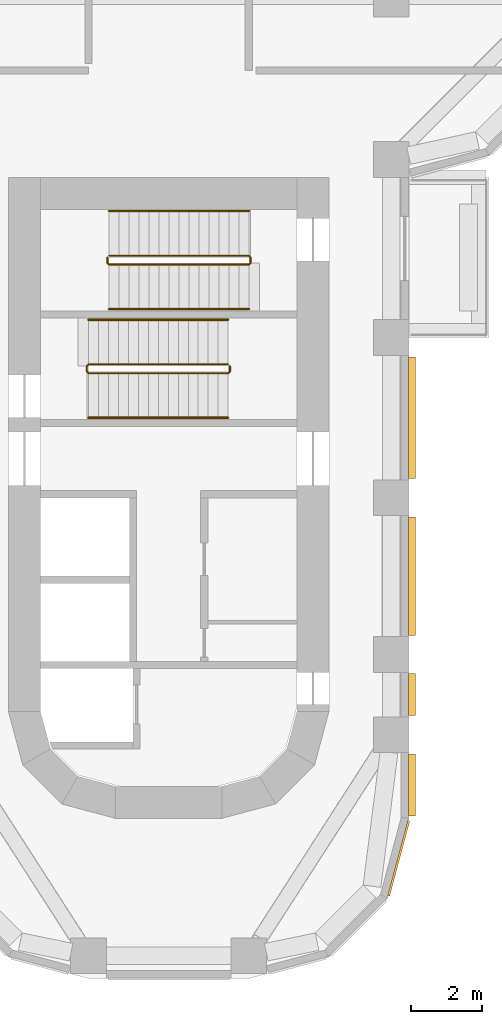
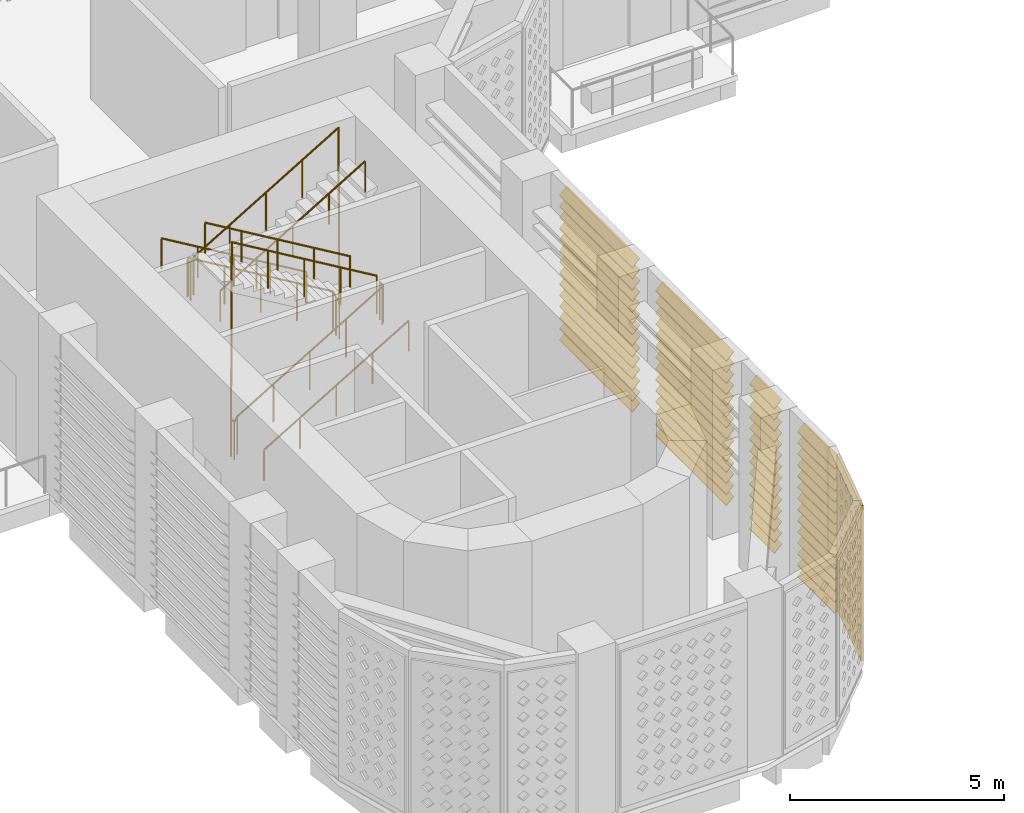
# One storey, part 12 of 20: 6 railings, 4 shading devices, 1 covering.
"""IFC4 building model written with IfcOpenShell, lengths in metres."""

from ifc_helpers import new_model, si_unit, direction, frame, origin, origin_2d, place, context, subcontext, project, spatial, polyline, circle, outline, extrude, source, transform, mapped, material, layer, layer_set, type_object, element, save


model = new_model("IFC4")

# Units and contexts
model_context = context("Model", 3, precision=1e-05, world=origin(), true_north=direction((0.0, 1.0)))
body_context = subcontext(model_context, "Body", "Model", "MODEL_VIEW")
ifc_project = project(units=[si_unit("LENGTHUNIT", "METRE"), si_unit("AREAUNIT", "SQUARE_METRE"), si_unit("VOLUMEUNIT", "CUBIC_METRE"), si_unit("PLANEANGLEUNIT", "RADIAN"), si_unit("MASSUNIT", "GRAM", prefix="KILO")], contexts=[model_context])

# Site, building, storey
site_placement = place(None, origin())
site = spatial("IfcSite", under=ifc_project, at=site_placement, CompositionType="ELEMENT")
building_placement = place(site_placement, origin())
building = spatial("IfcBuilding", under=site, at=building_placement, Name="Zarbagh Exchange Tower", CompositionType="ELEMENT")
storey_placement = place(building_placement, frame((0.0, 0.0, 81.60009765625)))
storey = spatial("IfcBuildingStorey", under=building, at=storey_placement, Name="L18", CompositionType="ELEMENT", Elevation=81.60009765625)

# Railings
ifc_material_1 = material(Name="Stainless steel", Category="steel")
railing_type_1 = type_object("IfcRailingType", Name="Stair guard 1100 mm", PredefinedType="GUARDRAIL", material=ifc_material_1)
railing_1_placement = place(storey_placement, frame((1.669921875, -16.5, 2.66650390625)))
element("IfcRailing", 1, at=railing_1_placement, inside=storey, type_object=railing_type_1, Name="ST3 stair guard 1", PredefinedType="GUARDRAIL", context=body_context, shape_type="SweptSolid", body=[
    extrude(circle(Radius=0.02392578125, at=origin_2d()), frame((0.0, 0.0, 1.076171875), z_axis=(-0.859272722373, 0.0, 0.511517730471), x_axis=(0.0, -1.0, 0.0)), (0.0, 0.0, 1.0), 4.56201171875),
    extrude(circle(Radius=0.02392578125, at=origin_2d()), frame((-3.919921875, 0.0, 3.40966796875), z_axis=(-0.010008762843, -0.010008762843, -0.999899819648), x_axis=(0.707106781187, -0.707106781187, 0.0)), (0.0, 0.0, 1.0), 5.00048828125),
    extrude(circle(Radius=0.02392578125, at=origin_2d()), frame((-3.969970703125, -0.050048828125, -1.59033203125), z_axis=(0.0, -1.0, 0.0), x_axis=(1.0, 0.0, 0.0)), (0.0, 0.0, 1.0), 0.14990234375),
    extrude(circle(Radius=0.02392578125, at=origin_2d()), frame((-3.969970703125, -0.199951171875, -1.59033203125), z_axis=(0.27662974545, -0.27662974545, 0.920299933644), x_axis=(0.707106781187, 0.707106781187, 0.0)), (0.0, 0.0, 1.0), 0.180908203125),
    extrude(circle(Radius=0.02392578125, at=origin_2d()), frame((-3.919921875, -0.25, -1.423828125), z_axis=(0.859272722373, 0.0, 0.511517730471), x_axis=(0.0, 1.0, 0.0)), (0.0, 0.0, 1.0), 4.56201171875),
    extrude(circle(Radius=0.02392578125, at=origin_2d()), frame((0.0, -0.25, 0.90966796875), z_axis=(0.707106781187, 0.707106781187, 0.0), x_axis=(-0.707106781187, 0.707106781187, 0.0)), (0.0, 0.0, 1.0), 0.07080078125),
    extrude(circle(Radius=0.02392578125, at=origin_2d()), frame((0.050048828125, -0.199951171875, 0.90966796875), z_axis=(0.0, 1.0, 0.0), x_axis=(-1.0, 0.0, 0.0)), (0.0, 0.0, 1.0), 0.14990234375),
    extrude(circle(Radius=0.02099609375, at=origin_2d()), origin(), (0.0, 0.0, 1.0), 1.052001953125),
    extrude(circle(Radius=0.02099609375, at=origin_2d()), frame((-0.97998046875, 0.0, 0.58349609375)), (0.0, 0.0, 1.0), 1.052001953125),
    extrude(circle(Radius=0.02099609375, at=origin_2d()), frame((-1.9599609375, 0.0, 1.166748046875)), (0.0, 0.0, 1.0), 1.052001953125),
    extrude(circle(Radius=0.02099609375, at=origin_2d()), frame((-2.93994140625, 0.0, 1.75)), (0.0, 0.0, 1.0), 1.052001953125),
    extrude(circle(Radius=0.02099609375, at=origin_2d()), frame((-3.919921875, 0.0, 2.33349609375)), (0.0, 0.0, 1.0), 1.052001953125),
    extrude(circle(Radius=0.02099609375, at=origin_2d()), frame((-3.929931640625, -0.010009765625, 1.33349609375)), (0.0, 0.0, 1.0), 1.052001953125),
    extrude(circle(Radius=0.02099609375, at=origin_2d()), frame((-3.93994140625, -0.02001953125, 0.33349609375)), (0.0, 0.0, 1.0), 1.052001953125),
    extrude(circle(Radius=0.02099609375, at=origin_2d()), frame((-3.949951171875, -0.030029296875, -0.66650390625)), (0.0, 0.0, 1.0), 1.052001953125),
    extrude(circle(Radius=0.02099609375, at=origin_2d()), frame((-3.9599609375, -0.0400390625, -1.66650390625)), (0.0, 0.0, 1.0), 1.052001953125),
    extrude(circle(Radius=0.02099609375, at=origin_2d()), frame((-3.969970703125, -0.050048828125, -2.66650390625)), (0.0, 0.0, 1.0), 1.052001953125),
    extrude(circle(Radius=0.02099609375, at=origin_2d()), frame((-3.969970703125, -0.199951171875, -2.66650390625)), (0.0, 0.0, 1.0), 1.052001953125),
    extrude(circle(Radius=0.02099609375, at=origin_2d()), frame((-3.919921875, -0.25, -2.5)), (0.0, 0.0, 1.0), 1.052001953125),
    extrude(circle(Radius=0.02099609375, at=origin_2d()), frame((-2.93994140625, -0.25, -1.91650390625)), (0.0, 0.0, 1.0), 1.052001953125),
    extrude(circle(Radius=0.02099609375, at=origin_2d()), frame((-1.9599609375, -0.25, -1.333251953125)), (0.0, 0.0, 1.0), 1.052001953125),
    extrude(circle(Radius=0.02099609375, at=origin_2d()), frame((-0.97998046875, -0.25, -0.75)), (0.0, 0.0, 1.0), 1.052001953125),
    extrude(circle(Radius=0.02099609375, at=origin_2d()), frame((0.0, -0.25, -0.16650390625)), (0.0, 0.0, 1.0), 1.052001953125),
    extrude(circle(Radius=0.02099609375, at=origin_2d()), frame((0.050048828125, -0.199951171875, -0.16650390625)), (0.0, 0.0, 1.0), 1.052001953125),
    extrude(circle(Radius=0.02099609375, at=origin_2d()), frame((0.050048828125, -0.050048828125, -0.16650390625)), (0.0, 0.0, 1.0), 1.052001953125),
])
railing_2_placement = place(storey_placement, frame((-1.719970703125, -13.5, 2.5)))
element("IfcRailing", 2, at=railing_2_placement, inside=storey, type_object=railing_type_1, Name="ST4 stair guard 1", PredefinedType="GUARDRAIL", context=body_context, shape_type="SweptSolid", body=[
    extrude(circle(Radius=0.02392578125, at=origin_2d()), frame((0.0, 0.0, 1.076171875), z_axis=(0.0, -1.0, 0.0), x_axis=(1.0, 0.0, 0.0)), (0.0, 0.0, 1.0), 0.14990234375),
    extrude(circle(Radius=0.02392578125, at=origin_2d()), frame((0.0, -0.14990234375, 1.076171875), z_axis=(0.27662974545, -0.27662974545, 0.920299933644), x_axis=(0.707106781187, 0.707106781187, 0.0)), (0.0, 0.0, 1.0), 0.180908203125),
    extrude(circle(Radius=0.02392578125, at=origin_2d()), frame((0.050048828125, -0.199951171875, 1.24267578125), z_axis=(0.859272722373, 0.0, 0.511517730471), x_axis=(0.0, 1.0, 0.0)), (0.0, 0.0, 1.0), 4.56201171875),
    extrude(circle(Radius=0.02392578125, at=origin_2d()), frame((3.969970703125, -0.199951171875, 3.576171875), z_axis=(0.010008762843, 0.010008762843, -0.999899819648), x_axis=(-0.707106781187, 0.707106781187, 0.0)), (0.0, 0.0, 1.0), 5.00048828125),
    extrude(circle(Radius=0.02392578125, at=origin_2d()), frame((4.02001953125, -0.14990234375, -1.423828125), z_axis=(0.0, 1.0, 0.0), x_axis=(-1.0, 0.0, 0.0)), (0.0, 0.0, 1.0), 0.14990234375),
    extrude(circle(Radius=0.02392578125, at=origin_2d()), frame((4.02001953125, 0.0, -1.423828125), z_axis=(-0.27662974545, 0.27662974545, 0.920299933644), x_axis=(-0.707106781187, -0.707106781187, 0.0)), (0.0, 0.0, 1.0), 0.180908203125),
    extrude(circle(Radius=0.02392578125, at=origin_2d()), frame((3.969970703125, 0.050048828125, -1.25732421875), z_axis=(-0.859272722373, 0.0, 0.511517730471), x_axis=(0.0, -1.0, 0.0)), (0.0, 0.0, 1.0), 4.56201171875),
    extrude(circle(Radius=0.02099609375, at=origin_2d()), origin(), (0.0, 0.0, 1.0), 1.052001953125),
    extrude(circle(Radius=0.02099609375, at=origin_2d()), frame((0.0, -0.14990234375, 0.0)), (0.0, 0.0, 1.0), 1.052001953125),
    extrude(circle(Radius=0.02099609375, at=origin_2d()), frame((0.050048828125, -0.199951171875, 0.16650390625)), (0.0, 0.0, 1.0), 1.052001953125),
    extrude(circle(Radius=0.02099609375, at=origin_2d()), frame((1.030029296875, -0.199951171875, 0.75)), (0.0, 0.0, 1.0), 1.052001953125),
    extrude(circle(Radius=0.02099609375, at=origin_2d()), frame((2.010009765625, -0.199951171875, 1.333251953125)), (0.0, 0.0, 1.0), 1.052001953125),
    extrude(circle(Radius=0.02099609375, at=origin_2d()), frame((2.989990234375, -0.199951171875, 1.91650390625)), (0.0, 0.0, 1.0), 1.052001953125),
    extrude(circle(Radius=0.02099609375, at=origin_2d()), frame((3.969970703125, -0.199951171875, 2.5)), (0.0, 0.0, 1.0), 1.052001953125),
    extrude(circle(Radius=0.02099609375, at=origin_2d()), frame((3.97998046875, -0.18994140625, 1.5)), (0.0, 0.0, 1.0), 1.052001953125),
    extrude(circle(Radius=0.02099609375, at=origin_2d()), frame((3.989990234375, -0.179931640625, 0.5)), (0.0, 0.0, 1.0), 1.052001953125),
    extrude(circle(Radius=0.02099609375, at=origin_2d()), frame((4.0, -0.169921875, -0.5)), (0.0, 0.0, 1.0), 1.052001953125),
    extrude(circle(Radius=0.02099609375, at=origin_2d()), frame((4.010009765625, -0.159912109375, -1.5)), (0.0, 0.0, 1.0), 1.052001953125),
    extrude(circle(Radius=0.02099609375, at=origin_2d()), frame((4.02001953125, -0.14990234375, -2.5)), (0.0, 0.0, 1.0), 1.052001953125),
    extrude(circle(Radius=0.02099609375, at=origin_2d()), frame((4.02001953125, 0.0, -2.5)), (0.0, 0.0, 1.0), 1.052001953125),
    extrude(circle(Radius=0.02099609375, at=origin_2d()), frame((3.969970703125, 0.050048828125, -2.33349609375)), (0.0, 0.0, 1.0), 1.052001953125),
    extrude(circle(Radius=0.02099609375, at=origin_2d()), frame((2.989990234375, 0.050048828125, -1.75)), (0.0, 0.0, 1.0), 1.052001953125),
    extrude(circle(Radius=0.02099609375, at=origin_2d()), frame((2.010009765625, 0.050048828125, -1.166748046875)), (0.0, 0.0, 1.0), 1.052001953125),
    extrude(circle(Radius=0.02099609375, at=origin_2d()), frame((1.030029296875, 0.050048828125, -0.58349609375)), (0.0, 0.0, 1.0), 1.052001953125),
    extrude(circle(Radius=0.02099609375, at=origin_2d()), frame((0.050048828125, 0.050048828125, 0.0)), (0.0, 0.0, 1.0), 1.052001953125),
])
railing_type_2 = type_object("IfcRailingType", Name="Stair handrail 900 mm", PredefinedType="HANDRAIL", material=ifc_material_1)
railing_3_placement = place(storey_placement, frame((-2.25, -18.0, 0.16650390625)))
element("IfcRailing", 3, at=railing_3_placement, inside=storey, type_object=railing_type_2, Name="ST3 stair handrail 1", PredefinedType="HANDRAIL", context=body_context, shape_type="SweptSolid", body=[
    extrude(circle(Radius=0.02392578125, at=origin_2d()), frame((0.0, 0.0, 0.8759765625), z_axis=(0.859272722373, 0.0, 0.511517730471), x_axis=(0.0, 1.0, 0.0)), (0.0, 0.0, 1.0), 4.56201171875),
    extrude(circle(Radius=0.02099609375, at=origin_2d()), origin(), (0.0, 0.0, 1.0), 0.851806640625),
    extrude(circle(Radius=0.02099609375, at=origin_2d()), frame((0.97998046875, 0.0, 0.58349609375)), (0.0, 0.0, 1.0), 0.851806640625),
    extrude(circle(Radius=0.02099609375, at=origin_2d()), frame((1.9599609375, 0.0, 1.166748046875)), (0.0, 0.0, 1.0), 0.851806640625),
    extrude(circle(Radius=0.02099609375, at=origin_2d()), frame((2.93994140625, 0.0, 1.75)), (0.0, 0.0, 1.0), 0.851806640625),
    extrude(circle(Radius=0.02099609375, at=origin_2d()), frame((3.919921875, 0.0, 2.33349609375)), (0.0, 0.0, 1.0), 0.851806640625),
])
for number, where, name in (
    (4, (1.669921875, -15.25, 2.66650390625), "ST3 stair handrail 2"),
    (5, (2.25, -12.199951171875, 0.16650390625), "ST4 stair handrail 1"),
):
    element("IfcRailing", number, at=place(storey_placement, frame(where)), inside=storey, type_object=railing_type_2, Name=name, PredefinedType="HANDRAIL", context=body_context, shape_type="SweptSolid", body=[
        extrude(circle(Radius=0.02392578125, at=origin_2d()), frame((0.0, 0.0, 0.8759765625), z_axis=(-0.859272722373, 0.0, 0.511517730471), x_axis=(0.0, -1.0, 0.0)), (0.0, 0.0, 1.0), 4.56201171875),
        extrude(circle(Radius=0.02099609375, at=origin_2d()), origin(), (0.0, 0.0, 1.0), 0.851806640625),
        extrude(circle(Radius=0.02099609375, at=origin_2d()), frame((-0.97998046875, 0.0, 0.58349609375)), (0.0, 0.0, 1.0), 0.851806640625),
        extrude(circle(Radius=0.02099609375, at=origin_2d()), frame((-1.9599609375, 0.0, 1.166748046875)), (0.0, 0.0, 1.0), 0.851806640625),
        extrude(circle(Radius=0.02099609375, at=origin_2d()), frame((-2.93994140625, 0.0, 1.75)), (0.0, 0.0, 1.0), 0.851806640625),
        extrude(circle(Radius=0.02099609375, at=origin_2d()), frame((-3.919921875, 0.0, 2.33349609375)), (0.0, 0.0, 1.0), 0.851806640625),
    ])
railing_4_placement = place(storey_placement, frame((-1.669921875, -14.949951171875, 2.66650390625)))
element("IfcRailing", 6, at=railing_4_placement, inside=storey, type_object=railing_type_2, Name="ST4 stair handrail 2", PredefinedType="HANDRAIL", context=body_context, shape_type="SweptSolid", body=[
    extrude(circle(Radius=0.02392578125, at=origin_2d()), frame((0.0, 0.0, 0.8759765625), z_axis=(0.859272722373, 0.0, 0.511517730471), x_axis=(0.0, 1.0, 0.0)), (0.0, 0.0, 1.0), 4.56201171875),
    extrude(circle(Radius=0.02099609375, at=origin_2d()), origin(), (0.0, 0.0, 1.0), 0.851806640625),
    extrude(circle(Radius=0.02099609375, at=origin_2d()), frame((0.97998046875, 0.0, 0.58349609375)), (0.0, 0.0, 1.0), 0.851806640625),
    extrude(circle(Radius=0.02099609375, at=origin_2d()), frame((1.9599609375, 0.0, 1.166748046875)), (0.0, 0.0, 1.0), 0.851806640625),
    extrude(circle(Radius=0.02099609375, at=origin_2d()), frame((2.93994140625, 0.0, 1.75)), (0.0, 0.0, 1.0), 0.851806640625),
    extrude(circle(Radius=0.02099609375, at=origin_2d()), frame((3.919921875, 0.0, 2.33349609375)), (0.0, 0.0, 1.0), 0.851806640625),
])

# Covering
ifc_material_2 = material(Name="Glass-fibre reinforced concrete GFRC C50/60", Category="concrete")
ifc_layer = layer(ifc_material_2, 0.06005859375)
ifc_layer_set = layer_set([ifc_layer], Name="SCREEN jali panel, GFRC")
covering_type = type_object("IfcCoveringType", Name="SCREEN jali panel, GFRC", PredefinedType="CLADDING", material=ifc_layer_set)
shared_shape_1 = source(origin(), body_context, "Body", "SweptSolid", [
    extrude(outline(polyline([(0.0, 0.0), (2.181396484375, 0.0), (2.181396484375, 4.449951171875), (0.0, 4.449951171875), (0.0, 0.0)]), holes=[polyline([(0.265625, 0.425048828125), (0.415771484375, 0.27490234375), (0.565673828125, 0.425048828125), (0.415771484375, 0.574951171875), (0.265625, 0.425048828125)]), polyline([(0.265625, 0.875), (0.415771484375, 0.72509765625), (0.565673828125, 0.875), (0.415771484375, 1.02490234375), (0.265625, 0.875)]), polyline([(0.265625, 1.324951171875), (0.415771484375, 1.175048828125), (0.565673828125, 1.324951171875), (0.415771484375, 1.47509765625), (0.265625, 1.324951171875)]), polyline([(0.265625, 1.77490234375), (0.415771484375, 1.625), (0.565673828125, 1.77490234375), (0.415771484375, 1.925048828125), (0.265625, 1.77490234375)]), polyline([(0.265625, 2.22509765625), (0.415771484375, 2.074951171875), (0.565673828125, 2.22509765625), (0.415771484375, 2.375), (0.265625, 2.22509765625)]), polyline([(0.265625, 2.675048828125), (0.415771484375, 2.52490234375), (0.565673828125, 2.675048828125), (0.415771484375, 2.824951171875), (0.265625, 2.675048828125)]), polyline([(0.265625, 3.125), (0.415771484375, 2.97509765625), (0.565673828125, 3.125), (0.415771484375, 3.27490234375), (0.265625, 3.125)]), polyline([(0.265625, 3.574951171875), (0.415771484375, 3.425048828125), (0.565673828125, 3.574951171875), (0.415771484375, 3.72509765625), (0.265625, 3.574951171875)]), polyline([(0.265625, 4.02490234375), (0.415771484375, 3.875), (0.565673828125, 4.02490234375), (0.415771484375, 4.175048828125), (0.265625, 4.02490234375)]), polyline([(0.7158203125, 0.425048828125), (0.86572265625, 0.27490234375), (1.015625, 0.425048828125), (0.86572265625, 0.574951171875), (0.7158203125, 0.425048828125)]), polyline([(0.7158203125, 0.875), (0.86572265625, 0.72509765625), (1.015625, 0.875), (0.86572265625, 1.02490234375), (0.7158203125, 0.875)]), polyline([(0.7158203125, 1.324951171875), (0.86572265625, 1.175048828125), (1.015625, 1.324951171875), (0.86572265625, 1.47509765625), (0.7158203125, 1.324951171875)]), polyline([(0.7158203125, 1.77490234375), (0.86572265625, 1.625), (1.015625, 1.77490234375), (0.86572265625, 1.925048828125), (0.7158203125, 1.77490234375)]), polyline([(0.7158203125, 2.22509765625), (0.86572265625, 2.074951171875), (1.015625, 2.22509765625), (0.86572265625, 2.375), (0.7158203125, 2.22509765625)]), polyline([(0.7158203125, 2.675048828125), (0.86572265625, 2.52490234375), (1.015625, 2.675048828125), (0.86572265625, 2.824951171875), (0.7158203125, 2.675048828125)]), polyline([(0.7158203125, 3.125), (0.86572265625, 2.97509765625), (1.015625, 3.125), (0.86572265625, 3.27490234375), (0.7158203125, 3.125)]), polyline([(0.7158203125, 3.574951171875), (0.86572265625, 3.425048828125), (1.015625, 3.574951171875), (0.86572265625, 3.72509765625), (0.7158203125, 3.574951171875)]), polyline([(0.7158203125, 4.02490234375), (0.86572265625, 3.875), (1.015625, 4.02490234375), (0.86572265625, 4.175048828125), (0.7158203125, 4.02490234375)]), polyline([(1.165771484375, 0.425048828125), (1.315673828125, 0.27490234375), (1.4658203125, 0.425048828125), (1.315673828125, 0.574951171875), (1.165771484375, 0.425048828125)]), polyline([(1.165771484375, 0.875), (1.315673828125, 0.72509765625), (1.4658203125, 0.875), (1.315673828125, 1.02490234375), (1.165771484375, 0.875)]), polyline([(1.165771484375, 1.324951171875), (1.315673828125, 1.175048828125), (1.4658203125, 1.324951171875), (1.315673828125, 1.47509765625), (1.165771484375, 1.324951171875)]), polyline([(1.165771484375, 1.77490234375), (1.315673828125, 1.625), (1.4658203125, 1.77490234375), (1.315673828125, 1.925048828125), (1.165771484375, 1.77490234375)]), polyline([(1.165771484375, 2.22509765625), (1.315673828125, 2.074951171875), (1.4658203125, 2.22509765625), (1.315673828125, 2.375), (1.165771484375, 2.22509765625)]), polyline([(1.165771484375, 2.675048828125), (1.315673828125, 2.52490234375), (1.4658203125, 2.675048828125), (1.315673828125, 2.824951171875), (1.165771484375, 2.675048828125)]), polyline([(1.165771484375, 3.125), (1.315673828125, 2.97509765625), (1.4658203125, 3.125), (1.315673828125, 3.27490234375), (1.165771484375, 3.125)]), polyline([(1.165771484375, 3.574951171875), (1.315673828125, 3.425048828125), (1.4658203125, 3.574951171875), (1.315673828125, 3.72509765625), (1.165771484375, 3.574951171875)]), polyline([(1.165771484375, 4.02490234375), (1.315673828125, 3.875), (1.4658203125, 4.02490234375), (1.315673828125, 4.175048828125), (1.165771484375, 4.02490234375)]), polyline([(1.61572265625, 0.425048828125), (1.765625, 0.27490234375), (1.915771484375, 0.425048828125), (1.765625, 0.574951171875), (1.61572265625, 0.425048828125)]), polyline([(1.61572265625, 0.875), (1.765625, 0.72509765625), (1.915771484375, 0.875), (1.765625, 1.02490234375), (1.61572265625, 0.875)]), polyline([(1.61572265625, 1.324951171875), (1.765625, 1.175048828125), (1.915771484375, 1.324951171875), (1.765625, 1.47509765625), (1.61572265625, 1.324951171875)]), polyline([(1.61572265625, 1.77490234375), (1.765625, 1.625), (1.915771484375, 1.77490234375), (1.765625, 1.925048828125), (1.61572265625, 1.77490234375)]), polyline([(1.61572265625, 2.22509765625), (1.765625, 2.074951171875), (1.915771484375, 2.22509765625), (1.765625, 2.375), (1.61572265625, 2.22509765625)]), polyline([(1.61572265625, 2.675048828125), (1.765625, 2.52490234375), (1.915771484375, 2.675048828125), (1.765625, 2.824951171875), (1.61572265625, 2.675048828125)]), polyline([(1.61572265625, 3.125), (1.765625, 2.97509765625), (1.915771484375, 3.125), (1.765625, 3.27490234375), (1.61572265625, 3.125)]), polyline([(1.61572265625, 3.574951171875), (1.765625, 3.425048828125), (1.915771484375, 3.574951171875), (1.765625, 3.72509765625), (1.61572265625, 3.574951171875)]), polyline([(1.61572265625, 4.02490234375), (1.765625, 3.875), (1.915771484375, 4.02490234375), (1.765625, 4.175048828125), (1.61572265625, 4.02490234375)])]), origin(), (0.0, 0.0, 1.0), 0.06005859375),
])
placement = place(storey_placement, origin())
element("IfcCovering", 7, at=placement, inside=storey, type_object=covering_type, Name="JS03 jali screen", PredefinedType="CLADDING", context=body_context, shape_type="MappedRepresentation", body=[
    mapped(shared_shape_1, transform((6.14892578125, -31.41552734375, 0.199951171875), x_axis=(0.258825057666, 0.965924215207, 0.0), y_axis=(0.0, 0.0, 1.0), z_axis=(0.965924215207, -0.258825057666, 0.0))),
])

# Shading devices
ifc_material_3 = material(Name="Anodised aluminium", Category="aluminium")
shading_device_type = type_object("IfcShadingDeviceType", Name="LOUVRE plant louvre, fixed blades", PredefinedType="USERDEFINED", material=ifc_material_3)
shared_shape_2 = source(origin(), body_context, "Body", "SweptSolid", [
    extrude(outline(polyline([(0.0, 0.199951171875), (0.199951171875, 0.0), (0.199951171875, -0.02001953125), (0.0, 0.179931640625), (0.0, 0.199951171875)])), origin(), (0.0, 0.0, 1.0), 1.744140625),
])
element("IfcShadingDevice", 8, at=placement, inside=storey, type_object=shading_device_type, Name="LV01 plant louvre", ObjectType="LOUVRE", PredefinedType="USERDEFINED", context=body_context, shape_type="MappedRepresentation", body=[
    mapped(shared_shape_2, transform((6.72998046875, -29.18408203125, 0.199951171875), x_axis=(1.0, 0.0, 0.0), y_axis=(0.0, 0.0, -1.0), z_axis=(0.0, 1.0, 0.0))),
    mapped(shared_shape_2, transform((6.72998046875, -29.18408203125, 0.517822265625), x_axis=(1.0, 0.0, 0.0), y_axis=(0.0, 0.0, -1.0), z_axis=(0.0, 1.0, 0.0))),
    mapped(shared_shape_2, transform((6.72998046875, -29.18408203125, 0.835693359375), x_axis=(1.0, 0.0, 0.0), y_axis=(0.0, 0.0, -1.0), z_axis=(0.0, 1.0, 0.0))),
    mapped(shared_shape_2, transform((6.72998046875, -29.18408203125, 1.153564453125), x_axis=(1.0, 0.0, 0.0), y_axis=(0.0, 0.0, -1.0), z_axis=(0.0, 1.0, 0.0))),
    mapped(shared_shape_2, transform((6.72998046875, -29.18408203125, 1.471435546875), x_axis=(1.0, 0.0, 0.0), y_axis=(0.0, 0.0, -1.0), z_axis=(0.0, 1.0, 0.0))),
    mapped(shared_shape_2, transform((6.72998046875, -29.18408203125, 1.789306640625), x_axis=(1.0, 0.0, 0.0), y_axis=(0.0, 0.0, -1.0), z_axis=(0.0, 1.0, 0.0))),
    mapped(shared_shape_2, transform((6.72998046875, -29.18408203125, 2.10693359375), x_axis=(1.0, 0.0, 0.0), y_axis=(0.0, 0.0, -1.0), z_axis=(0.0, 1.0, 0.0))),
    mapped(shared_shape_2, transform((6.72998046875, -29.18408203125, 2.4248046875), x_axis=(1.0, 0.0, 0.0), y_axis=(0.0, 0.0, -1.0), z_axis=(0.0, 1.0, 0.0))),
    mapped(shared_shape_2, transform((6.72998046875, -29.18408203125, 2.74267578125), x_axis=(1.0, 0.0, 0.0), y_axis=(0.0, 0.0, -1.0), z_axis=(0.0, 1.0, 0.0))),
    mapped(shared_shape_2, transform((6.72998046875, -29.18408203125, 3.060546875), x_axis=(1.0, 0.0, 0.0), y_axis=(0.0, 0.0, -1.0), z_axis=(0.0, 1.0, 0.0))),
    mapped(shared_shape_2, transform((6.72998046875, -29.18408203125, 3.37841796875), x_axis=(1.0, 0.0, 0.0), y_axis=(0.0, 0.0, -1.0), z_axis=(0.0, 1.0, 0.0))),
    mapped(shared_shape_2, transform((6.72998046875, -29.18408203125, 3.6962890625), x_axis=(1.0, 0.0, 0.0), y_axis=(0.0, 0.0, -1.0), z_axis=(0.0, 1.0, 0.0))),
    mapped(shared_shape_2, transform((6.72998046875, -29.18408203125, 4.01416015625), x_axis=(1.0, 0.0, 0.0), y_axis=(0.0, 0.0, -1.0), z_axis=(0.0, 1.0, 0.0))),
    mapped(shared_shape_2, transform((6.72998046875, -29.18408203125, 4.33203125), x_axis=(1.0, 0.0, 0.0), y_axis=(0.0, 0.0, -1.0), z_axis=(0.0, 1.0, 0.0))),
])
shared_shape_3 = source(origin(), body_context, "Body", "SweptSolid", [
    extrude(outline(polyline([(0.0, 0.199951171875), (0.199951171875, 0.0), (0.199951171875, -0.02001953125), (0.0, 0.179931640625), (0.0, 0.199951171875)])), origin(), (0.0, 0.0, 1.0), 1.169921875),
])
element("IfcShadingDevice", 9, at=placement, inside=storey, type_object=shading_device_type, Name="LV01 plant louvre", ObjectType="LOUVRE", PredefinedType="USERDEFINED", context=body_context, shape_type="MappedRepresentation", body=[
    mapped(shared_shape_3, transform((6.72998046875, -26.360107421875, 0.199951171875), x_axis=(1.0, 0.0, 0.0), y_axis=(0.0, 0.0, -1.0), z_axis=(0.0, 1.0, 0.0))),
    mapped(shared_shape_3, transform((6.72998046875, -26.360107421875, 0.517822265625), x_axis=(1.0, 0.0, 0.0), y_axis=(0.0, 0.0, -1.0), z_axis=(0.0, 1.0, 0.0))),
    mapped(shared_shape_3, transform((6.72998046875, -26.360107421875, 0.835693359375), x_axis=(1.0, 0.0, 0.0), y_axis=(0.0, 0.0, -1.0), z_axis=(0.0, 1.0, 0.0))),
    mapped(shared_shape_3, transform((6.72998046875, -26.360107421875, 1.153564453125), x_axis=(1.0, 0.0, 0.0), y_axis=(0.0, 0.0, -1.0), z_axis=(0.0, 1.0, 0.0))),
    mapped(shared_shape_3, transform((6.72998046875, -26.360107421875, 1.471435546875), x_axis=(1.0, 0.0, 0.0), y_axis=(0.0, 0.0, -1.0), z_axis=(0.0, 1.0, 0.0))),
    mapped(shared_shape_3, transform((6.72998046875, -26.360107421875, 1.789306640625), x_axis=(1.0, 0.0, 0.0), y_axis=(0.0, 0.0, -1.0), z_axis=(0.0, 1.0, 0.0))),
    mapped(shared_shape_3, transform((6.72998046875, -26.360107421875, 2.10693359375), x_axis=(1.0, 0.0, 0.0), y_axis=(0.0, 0.0, -1.0), z_axis=(0.0, 1.0, 0.0))),
    mapped(shared_shape_3, transform((6.72998046875, -26.360107421875, 2.4248046875), x_axis=(1.0, 0.0, 0.0), y_axis=(0.0, 0.0, -1.0), z_axis=(0.0, 1.0, 0.0))),
    mapped(shared_shape_3, transform((6.72998046875, -26.360107421875, 2.74267578125), x_axis=(1.0, 0.0, 0.0), y_axis=(0.0, 0.0, -1.0), z_axis=(0.0, 1.0, 0.0))),
    mapped(shared_shape_3, transform((6.72998046875, -26.360107421875, 3.060546875), x_axis=(1.0, 0.0, 0.0), y_axis=(0.0, 0.0, -1.0), z_axis=(0.0, 1.0, 0.0))),
    mapped(shared_shape_3, transform((6.72998046875, -26.360107421875, 3.37841796875), x_axis=(1.0, 0.0, 0.0), y_axis=(0.0, 0.0, -1.0), z_axis=(0.0, 1.0, 0.0))),
    mapped(shared_shape_3, transform((6.72998046875, -26.360107421875, 3.6962890625), x_axis=(1.0, 0.0, 0.0), y_axis=(0.0, 0.0, -1.0), z_axis=(0.0, 1.0, 0.0))),
    mapped(shared_shape_3, transform((6.72998046875, -26.360107421875, 4.01416015625), x_axis=(1.0, 0.0, 0.0), y_axis=(0.0, 0.0, -1.0), z_axis=(0.0, 1.0, 0.0))),
    mapped(shared_shape_3, transform((6.72998046875, -26.360107421875, 4.33203125), x_axis=(1.0, 0.0, 0.0), y_axis=(0.0, 0.0, -1.0), z_axis=(0.0, 1.0, 0.0))),
])
shared_shape_4 = source(origin(), body_context, "Body", "SweptSolid", [
    extrude(outline(polyline([(0.0, 0.199951171875), (0.199951171875, 0.0), (0.199951171875, -0.02001953125), (0.0, 0.179931640625), (0.0, 0.199951171875)])), origin(), (0.0, 0.0, 1.0), 3.320068359375),
])
element("IfcShadingDevice", 10, at=placement, inside=storey, type_object=shading_device_type, Name="LV01 plant louvre", ObjectType="LOUVRE", PredefinedType="USERDEFINED", context=body_context, shape_type="MappedRepresentation", body=[
    mapped(shared_shape_4, transform((6.72998046875, -24.110107421875, 0.199951171875), x_axis=(1.0, 0.0, 0.0), y_axis=(0.0, 0.0, -1.0), z_axis=(0.0, 1.0, 0.0))),
    mapped(shared_shape_4, transform((6.72998046875, -24.110107421875, 0.517822265625), x_axis=(1.0, 0.0, 0.0), y_axis=(0.0, 0.0, -1.0), z_axis=(0.0, 1.0, 0.0))),
    mapped(shared_shape_4, transform((6.72998046875, -24.110107421875, 0.835693359375), x_axis=(1.0, 0.0, 0.0), y_axis=(0.0, 0.0, -1.0), z_axis=(0.0, 1.0, 0.0))),
    mapped(shared_shape_4, transform((6.72998046875, -24.110107421875, 1.153564453125), x_axis=(1.0, 0.0, 0.0), y_axis=(0.0, 0.0, -1.0), z_axis=(0.0, 1.0, 0.0))),
    mapped(shared_shape_4, transform((6.72998046875, -24.110107421875, 1.471435546875), x_axis=(1.0, 0.0, 0.0), y_axis=(0.0, 0.0, -1.0), z_axis=(0.0, 1.0, 0.0))),
    mapped(shared_shape_4, transform((6.72998046875, -24.110107421875, 1.789306640625), x_axis=(1.0, 0.0, 0.0), y_axis=(0.0, 0.0, -1.0), z_axis=(0.0, 1.0, 0.0))),
    mapped(shared_shape_4, transform((6.72998046875, -24.110107421875, 2.10693359375), x_axis=(1.0, 0.0, 0.0), y_axis=(0.0, 0.0, -1.0), z_axis=(0.0, 1.0, 0.0))),
    mapped(shared_shape_4, transform((6.72998046875, -24.110107421875, 2.4248046875), x_axis=(1.0, 0.0, 0.0), y_axis=(0.0, 0.0, -1.0), z_axis=(0.0, 1.0, 0.0))),
    mapped(shared_shape_4, transform((6.72998046875, -24.110107421875, 2.74267578125), x_axis=(1.0, 0.0, 0.0), y_axis=(0.0, 0.0, -1.0), z_axis=(0.0, 1.0, 0.0))),
    mapped(shared_shape_4, transform((6.72998046875, -24.110107421875, 3.060546875), x_axis=(1.0, 0.0, 0.0), y_axis=(0.0, 0.0, -1.0), z_axis=(0.0, 1.0, 0.0))),
    mapped(shared_shape_4, transform((6.72998046875, -24.110107421875, 3.37841796875), x_axis=(1.0, 0.0, 0.0), y_axis=(0.0, 0.0, -1.0), z_axis=(0.0, 1.0, 0.0))),
    mapped(shared_shape_4, transform((6.72998046875, -24.110107421875, 3.6962890625), x_axis=(1.0, 0.0, 0.0), y_axis=(0.0, 0.0, -1.0), z_axis=(0.0, 1.0, 0.0))),
    mapped(shared_shape_4, transform((6.72998046875, -24.110107421875, 4.01416015625), x_axis=(1.0, 0.0, 0.0), y_axis=(0.0, 0.0, -1.0), z_axis=(0.0, 1.0, 0.0))),
    mapped(shared_shape_4, transform((6.72998046875, -24.110107421875, 4.33203125), x_axis=(1.0, 0.0, 0.0), y_axis=(0.0, 0.0, -1.0), z_axis=(0.0, 1.0, 0.0))),
])
shared_shape_5 = source(origin(), body_context, "Body", "SweptSolid", [
    extrude(outline(polyline([(0.0, 0.199951171875), (0.199951171875, 0.0), (0.199951171875, -0.02001953125), (0.0, 0.179931640625), (0.0, 0.199951171875)])), origin(), (0.0, 0.0, 1.0), 3.419921875),
])
element("IfcShadingDevice", 11, at=placement, inside=storey, type_object=shading_device_type, Name="LV01 plant louvre", ObjectType="LOUVRE", PredefinedType="USERDEFINED", context=body_context, shape_type="MappedRepresentation", body=[
    mapped(shared_shape_5, transform((6.72998046875, -19.7099609375, 0.199951171875), x_axis=(1.0, 0.0, 0.0), y_axis=(0.0, 0.0, -1.0), z_axis=(0.0, 1.0, 0.0))),
    mapped(shared_shape_5, transform((6.72998046875, -19.7099609375, 0.517822265625), x_axis=(1.0, 0.0, 0.0), y_axis=(0.0, 0.0, -1.0), z_axis=(0.0, 1.0, 0.0))),
    mapped(shared_shape_5, transform((6.72998046875, -19.7099609375, 0.835693359375), x_axis=(1.0, 0.0, 0.0), y_axis=(0.0, 0.0, -1.0), z_axis=(0.0, 1.0, 0.0))),
    mapped(shared_shape_5, transform((6.72998046875, -19.7099609375, 1.153564453125), x_axis=(1.0, 0.0, 0.0), y_axis=(0.0, 0.0, -1.0), z_axis=(0.0, 1.0, 0.0))),
    mapped(shared_shape_5, transform((6.72998046875, -19.7099609375, 1.471435546875), x_axis=(1.0, 0.0, 0.0), y_axis=(0.0, 0.0, -1.0), z_axis=(0.0, 1.0, 0.0))),
    mapped(shared_shape_5, transform((6.72998046875, -19.7099609375, 1.789306640625), x_axis=(1.0, 0.0, 0.0), y_axis=(0.0, 0.0, -1.0), z_axis=(0.0, 1.0, 0.0))),
    mapped(shared_shape_5, transform((6.72998046875, -19.7099609375, 2.10693359375), x_axis=(1.0, 0.0, 0.0), y_axis=(0.0, 0.0, -1.0), z_axis=(0.0, 1.0, 0.0))),
    mapped(shared_shape_5, transform((6.72998046875, -19.7099609375, 2.4248046875), x_axis=(1.0, 0.0, 0.0), y_axis=(0.0, 0.0, -1.0), z_axis=(0.0, 1.0, 0.0))),
    mapped(shared_shape_5, transform((6.72998046875, -19.7099609375, 2.74267578125), x_axis=(1.0, 0.0, 0.0), y_axis=(0.0, 0.0, -1.0), z_axis=(0.0, 1.0, 0.0))),
    mapped(shared_shape_5, transform((6.72998046875, -19.7099609375, 3.060546875), x_axis=(1.0, 0.0, 0.0), y_axis=(0.0, 0.0, -1.0), z_axis=(0.0, 1.0, 0.0))),
    mapped(shared_shape_5, transform((6.72998046875, -19.7099609375, 3.37841796875), x_axis=(1.0, 0.0, 0.0), y_axis=(0.0, 0.0, -1.0), z_axis=(0.0, 1.0, 0.0))),
    mapped(shared_shape_5, transform((6.72998046875, -19.7099609375, 3.6962890625), x_axis=(1.0, 0.0, 0.0), y_axis=(0.0, 0.0, -1.0), z_axis=(0.0, 1.0, 0.0))),
    mapped(shared_shape_5, transform((6.72998046875, -19.7099609375, 4.01416015625), x_axis=(1.0, 0.0, 0.0), y_axis=(0.0, 0.0, -1.0), z_axis=(0.0, 1.0, 0.0))),
    mapped(shared_shape_5, transform((6.72998046875, -19.7099609375, 4.33203125), x_axis=(1.0, 0.0, 0.0), y_axis=(0.0, 0.0, -1.0), z_axis=(0.0, 1.0, 0.0))),
])

save(model, "model.ifc")
